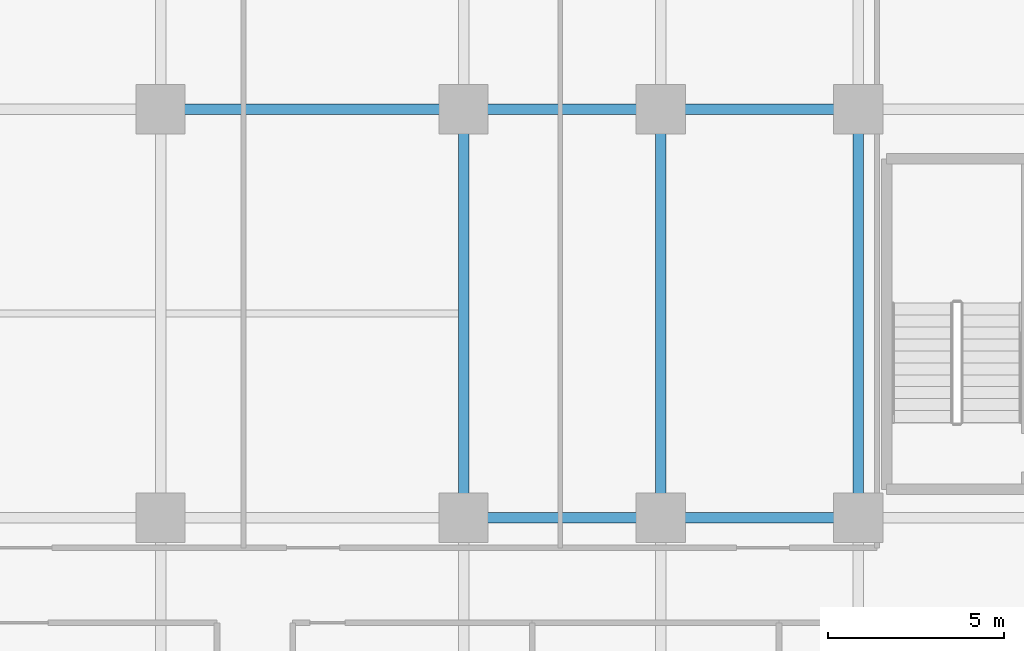
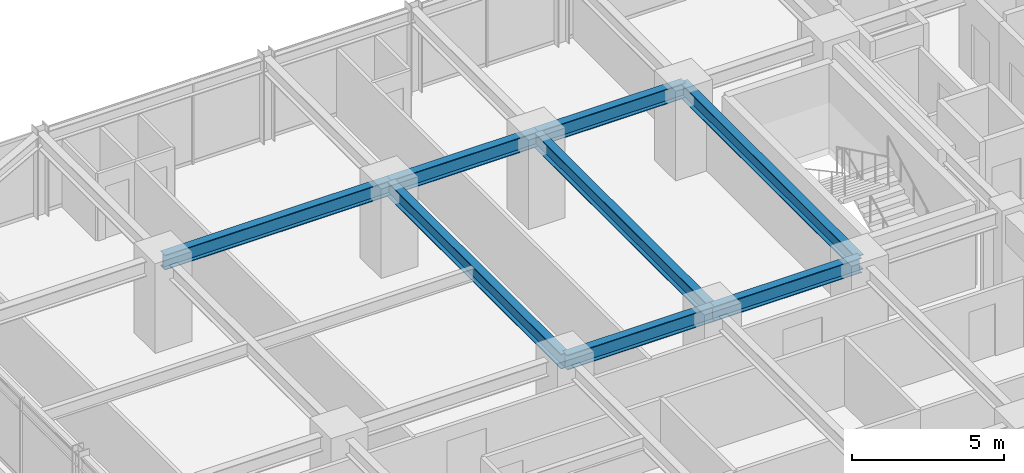
# One storey, part 20 of 37: 8 beams.
"""IFC4 building model written with IfcOpenShell, lengths in metres."""

from ifc_helpers import new_model, si_unit, direction, frame, origin, origin_2d, place, context, subcontext, project, spatial, i_section, extrude, source, transform, mapped, material, material_profile, profile_set, type_object, element, save


model = new_model("IFC4")

# Units and contexts
model_context = context("Model", 3, precision=1e-05, world=origin(), true_north=direction((0.0, 1.0)))
body_context = subcontext(model_context, "Body", "Model", "MODEL_VIEW")
ifc_project = project(units=[si_unit("LENGTHUNIT", "METRE"), si_unit("AREAUNIT", "SQUARE_METRE"), si_unit("VOLUMEUNIT", "CUBIC_METRE"), si_unit("PLANEANGLEUNIT", "RADIAN"), si_unit("MASSUNIT", "GRAM", prefix="KILO")], contexts=[model_context])

# Site, building, storey
site_placement = place(None, origin())
site = spatial("IfcSite", under=ifc_project, at=site_placement, CompositionType="ELEMENT")
building_placement = place(site_placement, origin())
building = spatial("IfcBuilding", under=site, at=building_placement, Name="Nahalor Promenade Grand Hotel", CompositionType="ELEMENT")
storey_placement = place(building_placement, frame((0.0, 0.0, 36.050048828125)))
storey = spatial("IfcBuildingStorey", under=building, at=storey_placement, Name="L07", CompositionType="ELEMENT", Elevation=36.050048828125)

# Beams
ifc_material = material(Name="Steel S355JR", Category="steel")
ifc_material_profile = material_profile(ifc_material, i_section(OverallWidth=0.3, OverallDepth=0.6, WebThickness=0.0155, FlangeThickness=0.03, at=origin_2d()), Name="HEB 600")
ifc_profile_set = profile_set([ifc_material_profile], Name="Steel S355JR")
beam_type = type_object("IfcBeamType", Name="Beam-Girder-HEB600", PredefinedType="BEAM", material=ifc_profile_set)
shared_shape_1 = source(origin(), body_context, "Body", "SweptSolid", [
    extrude(i_section(OverallWidth=0.3, OverallDepth=0.6, WebThickness=0.0155, FlangeThickness=0.03, at=origin_2d()), origin(), (0.0, 0.0, 1.0), 8.60009765625),
])
beam_placement = place(storey_placement, frame((-17.0, 17.0, 3.070068359375), z_axis=(1.0, 0.0, 0.0), x_axis=(0.0, 1.0, 0.0)))
element("IfcBeam", 1, at=beam_placement, inside=storey, type_object=beam_type, Name="BM-L07-GX-3-1", PredefinedType="BEAM", context=body_context, shape_type="MappedRepresentation", body=[
    mapped(shared_shape_1, transform((0.0, 0.0, 0.0), scale=1.0)),
])
shared_shape_2 = source(origin(), body_context, "Body", "SweptSolid", [
    extrude(i_section(OverallWidth=0.3, OverallDepth=0.6, WebThickness=0.0155, FlangeThickness=0.03, at=origin_2d()), origin(), (0.0, 0.0, 1.0), 5.599853515625),
])
for number, where, z_axis, x_axis, name in (
    (2, (-8.39990234375, 5.39990234375, 3.070068359375), (1.0, 0.0, 0.0), (0.0, 1.0, 0.0), "BM-L07-GX-2-2"),
    (3, (-8.39990234375, 17.0, 3.070068359375), (1.0, 0.0, 0.0), (0.0, 1.0, 0.0), "BM-L07-GX-3-2"),
):
    element("IfcBeam", number, at=place(storey_placement, frame(where, z_axis=z_axis, x_axis=x_axis)), inside=storey, type_object=beam_type, Name=name, PredefinedType="BEAM", context=body_context, shape_type="MappedRepresentation", body=[
        mapped(shared_shape_2, transform((0.0, 0.0, 0.0), scale=1.0)),
    ])
shared_shape_3 = source(origin(), body_context, "Body", "SweptSolid", [
    extrude(i_section(OverallWidth=0.3, OverallDepth=0.6, WebThickness=0.0155, FlangeThickness=0.03, at=origin_2d()), origin(), (0.0, 0.0, 1.0), 5.60009765625),
])
for number, where, z_axis, x_axis, name in (
    (4, (-2.800048828125, 5.39990234375, 3.070068359375), (1.0, 0.0, 0.0), (0.0, 1.0, 0.0), "BM-L07-GX-2-3"),
    (5, (-2.800048828125, 17.0, 3.070068359375), (1.0, 0.0, 0.0), (0.0, 1.0, 0.0), "BM-L07-GX-3-3"),
):
    element("IfcBeam", number, at=place(storey_placement, frame(where, z_axis=z_axis, x_axis=x_axis)), inside=storey, type_object=beam_type, Name=name, PredefinedType="BEAM", context=body_context, shape_type="MappedRepresentation", body=[
        mapped(shared_shape_3, transform((0.0, 0.0, 0.0), scale=1.0)),
    ])
shared_shape_4 = source(origin(), body_context, "Body", "SweptSolid", [
    extrude(i_section(OverallWidth=0.3, OverallDepth=0.6, WebThickness=0.0155, FlangeThickness=0.03, at=origin_2d()), origin(), (0.0, 0.0, 1.0), 11.60009765625),
])
for number, where, z_axis, x_axis, name in (
    (6, (-8.39990234375, 5.39990234375, 3.070068359375), (0.0, 1.0, 0.0), (-1.0, 0.0, 0.0), "BM-L07-GY-1-3"),
    (7, (-2.800048828125, 5.39990234375, 3.070068359375), (0.0, 1.0, 0.0), (-1.0, 0.0, 0.0), "BM-L07-GY-2-3"),
    (8, (2.800048828125, 5.39990234375, 3.070068359375), (0.0, 1.0, 0.0), (-1.0, 0.0, 0.0), "BM-L07-GY-3-3"),
):
    element("IfcBeam", number, at=place(storey_placement, frame(where, z_axis=z_axis, x_axis=x_axis)), inside=storey, type_object=beam_type, Name=name, PredefinedType="BEAM", context=body_context, shape_type="MappedRepresentation", body=[
        mapped(shared_shape_4, transform((0.0, 0.0, 0.0), scale=1.0)),
    ])

save(model, "model.ifc")
